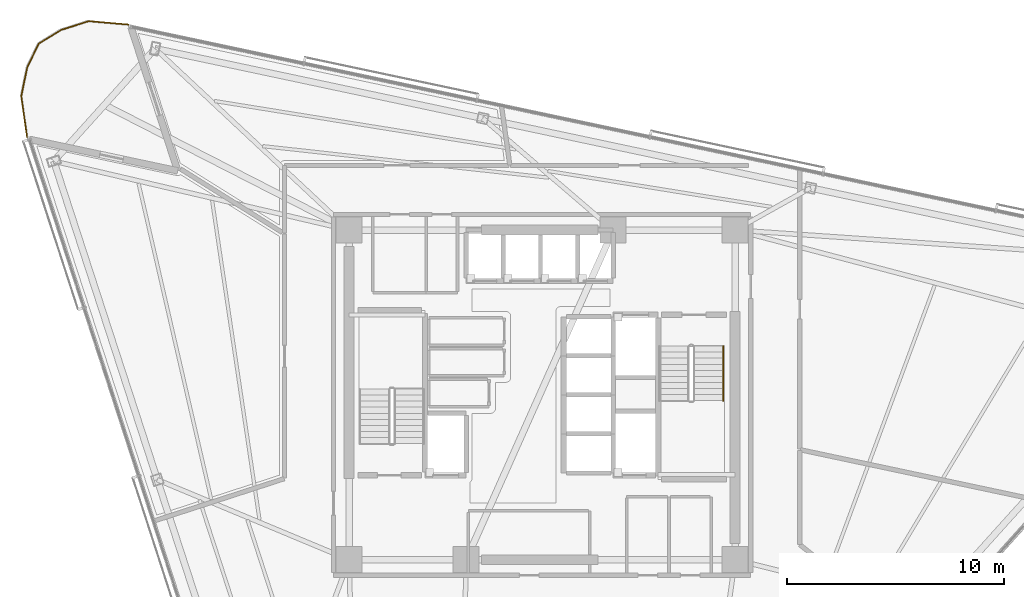
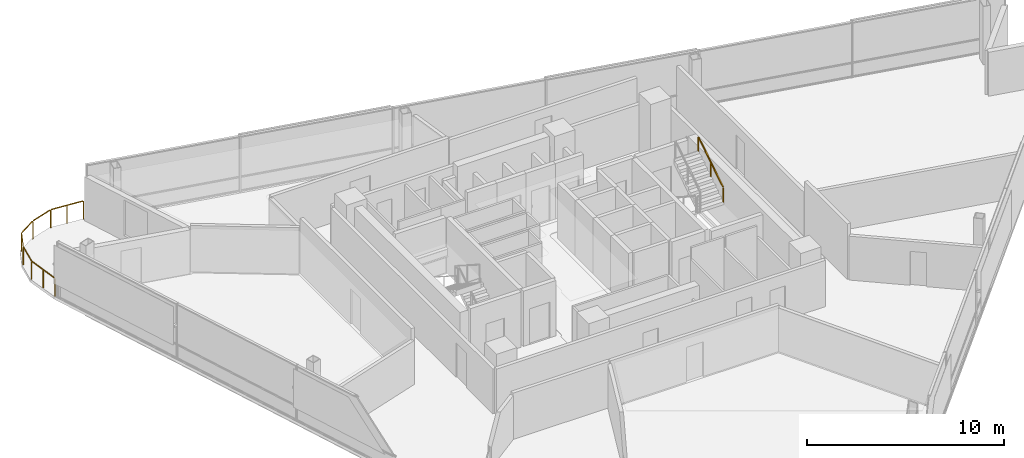
# One storey, part 17 of 17: 2 railings.
"""IFC4 building model written with IfcOpenShell, lengths in metres."""

from ifc_helpers import new_model, si_unit, direction, frame, origin, origin_2d, place, context, subcontext, project, spatial, rectangle, extrude, material, type_object, element, save


model = new_model("IFC4")

# Units and contexts
model_context = context("Model", 3, precision=1e-05, world=origin(), true_north=direction((0.0, 1.0)))
body_context = subcontext(model_context, "Body", "Model", "MODEL_VIEW")
ifc_project = project(units=[si_unit("LENGTHUNIT", "METRE"), si_unit("AREAUNIT", "SQUARE_METRE"), si_unit("VOLUMEUNIT", "CUBIC_METRE"), si_unit("PLANEANGLEUNIT", "RADIAN"), si_unit("MASSUNIT", "GRAM", prefix="KILO")], contexts=[model_context])

# Site, building, storey
site_placement = place(None, origin())
site = spatial("IfcSite", under=ifc_project, at=site_placement, CompositionType="ELEMENT")
building_placement = place(site_placement, origin())
building = spatial("IfcBuilding", under=site, at=building_placement, Name="Tharavind Bronze Gate", CompositionType="ELEMENT")
storey_placement = place(building_placement, frame((0.0, 0.0, 207.64990234375)))
storey = spatial("IfcBuildingStorey", under=building, at=storey_placement, Name="L53", CompositionType="ELEMENT", Elevation=207.64990234375)

# Railings
ifc_material_1 = material(Name="Brushed Bronze Alloy", Category="metal")
railing_type_1 = type_object("IfcRailingType", Name="STAIR BRONZE HANDRAIL 900", PredefinedType="HANDRAIL", material=ifc_material_1)
railing_1_placement = place(storey_placement, frame((8.35009765625, -0.27001953125, 1.97998046875)))
element("IfcRailing", 1, at=railing_1_placement, inside=storey, type_object=railing_type_1, Name="L53 ST2 stair handrail 2", PredefinedType="HANDRAIL", context=body_context, shape_type="SweptSolid", body=[
    extrude(rectangle(XDim=0.048095703125, YDim=0.048095703125, at=origin_2d()), frame((0.0, 0.02685546875, 0.89306640625), z_axis=(0.0, 0.841162588446, 0.540782303519), x_axis=(-1.0, 0.0, 0.0)), (0.0, 0.0, 1.0), 2.931884765625),
    extrude(rectangle(XDim=0.0400390625, YDim=0.0400390625, at=origin_2d()), origin(), (0.0, 0.0, 1.0), 0.847900390625),
    extrude(rectangle(XDim=0.0400390625, YDim=0.0400390625, at=origin_2d()), frame((0.0, 1.260009765625, 0.81005859375)), (0.0, 0.0, 1.0), 0.847900390625),
    extrude(rectangle(XDim=0.0400390625, YDim=0.0400390625, at=origin_2d()), frame((0.0, 2.52001953125, 1.6201171875)), (0.0, 0.0, 1.0), 0.847900390625),
])
ifc_material_2 = material(Name="Bronze Cap & Laminated Glass", Category="glass")
railing_type_2 = type_object("IfcRailingType", Name="TERRACE GLASS GUARD RAILING 1150", PredefinedType="GUARDRAIL", material=ifc_material_2)
railing_2_placement = place(storey_placement, frame((-23.7490234375, 11.887451171875, 0.0)))
element("IfcRailing", 2, at=railing_2_placement, inside=storey, type_object=railing_type_2, Name="L53 tree balcony guard railing", PredefinedType="GUARDRAIL", context=body_context, shape_type="SweptSolid", body=[
    extrude(rectangle(XDim=0.048095703125, YDim=0.048095703125, at=origin_2d()), frame((-0.00439453125, 0.03173828125, 1.1259765625), z_axis=(-0.1396808932, 0.990196570422, 0.0), x_axis=(-0.990196570422, -0.1396808932, 0.0)), (0.0, 0.0, 1.0), 1.841064453125),
    extrude(rectangle(XDim=0.048095703125, YDim=0.048095703125, at=origin_2d()), frame((-0.259765625, 1.917724609375, 1.1259765625), z_axis=(0.201091111257, 0.979572541966, 0.0), x_axis=(-0.979572541966, 0.201091111257, 0.0)), (0.0, 0.0, 1.0), 1.284912109375),
    extrude(rectangle(XDim=0.048095703125, YDim=0.048095703125, at=origin_2d()), frame((0.01904296875, 3.236572265625, 1.1259765625), z_axis=(0.435566196468, 0.900156702188, 0.0), x_axis=(-0.900156702188, 0.435566196468, 0.0)), (0.0, 0.0, 1.0), 1.147216796875),
    extrude(rectangle(XDim=0.048095703125, YDim=0.048095703125, at=origin_2d()), frame((0.559814453125, 4.31494140625, 1.1259765625), z_axis=(0.849714893769, 0.527242448316, 0.0), x_axis=(-0.527242448316, 0.849714893769, 0.0)), (0.0, 0.0, 1.0), 1.1474609375),
    extrude(rectangle(XDim=0.048095703125, YDim=0.048095703125, at=origin_2d()), frame((1.592529296875, 4.946533203125, 1.1259765625), z_axis=(0.953163202503, 0.302456458675, 0.0), x_axis=(-0.302456458675, 0.953163202503, 0.0)), (0.0, 0.0, 1.0), 1.284912109375),
    extrude(rectangle(XDim=0.048095703125, YDim=0.048095703125, at=origin_2d()), frame((2.879638671875, 5.342041015625, 1.1259765625), z_axis=(0.996289002034, -0.086071042903, 0.0), x_axis=(0.086071042903, 0.996289002034, 0.0)), (0.0, 0.0, 1.0), 1.765625),
    extrude(rectangle(XDim=0.0400390625, YDim=0.0400390625, at=origin_2d()), origin(), (0.0, 0.0, 1.0), 1.097900390625),
    extrude(rectangle(XDim=0.0400390625, YDim=0.0400390625, at=origin_2d()), frame((-0.133056640625, 0.943359375, 0.0)), (0.0, 0.0, 1.0), 1.097900390625),
    extrude(rectangle(XDim=0.0400390625, YDim=0.0400390625, at=origin_2d()), frame((-0.26611328125, 1.886474609375, 0.0)), (0.0, 0.0, 1.0), 1.097900390625),
    extrude(rectangle(XDim=0.0400390625, YDim=0.0400390625, at=origin_2d()), frame((0.005126953125, 3.207763671875, 0.0)), (0.0, 0.0, 1.0), 1.097900390625),
    extrude(rectangle(XDim=0.0400390625, YDim=0.0400390625, at=origin_2d()), frame((0.53271484375, 4.298095703125, 0.0)), (0.0, 0.0, 1.0), 1.097900390625),
    extrude(rectangle(XDim=0.0400390625, YDim=0.0400390625, at=origin_2d()), frame((1.56201171875, 4.936767578125, 0.0)), (0.0, 0.0, 1.0), 1.097900390625),
    extrude(rectangle(XDim=0.0400390625, YDim=0.0400390625, at=origin_2d()), frame((2.84765625, 5.3447265625, 0.0)), (0.0, 0.0, 1.0), 1.097900390625),
    extrude(rectangle(XDim=0.0400390625, YDim=0.0400390625, at=origin_2d()), frame((3.759033203125, 5.26611328125, 0.0)), (0.0, 0.0, 1.0), 1.097900390625),
    extrude(rectangle(XDim=0.0400390625, YDim=0.0400390625, at=origin_2d()), frame((4.67041015625, 5.187255859375, 0.0)), (0.0, 0.0, 1.0), 1.097900390625),
])

save(model, "model.ifc")
